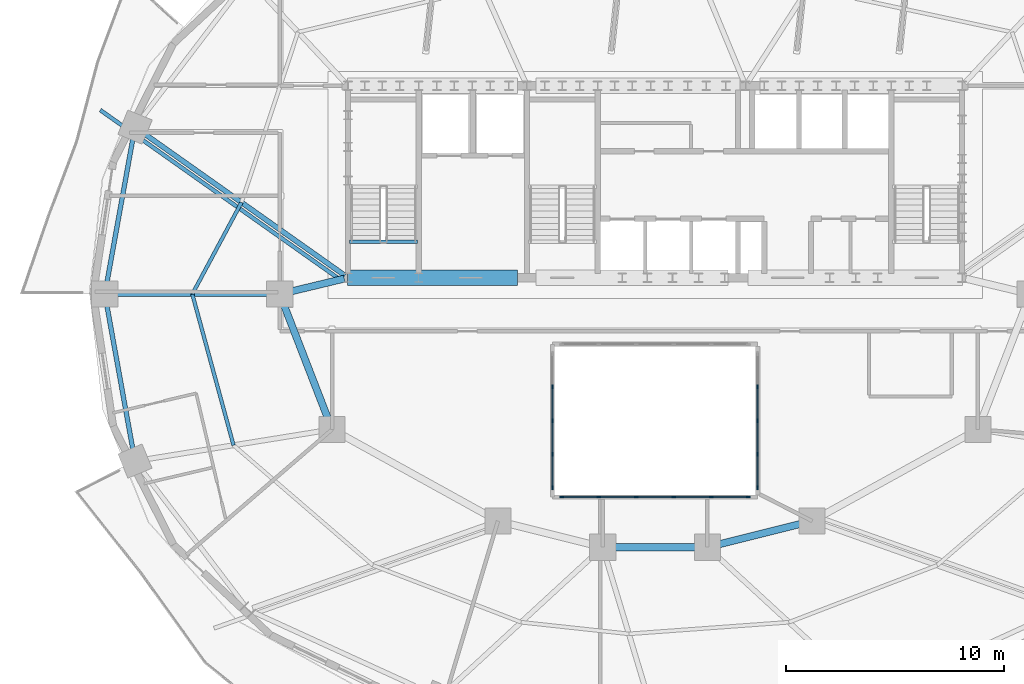
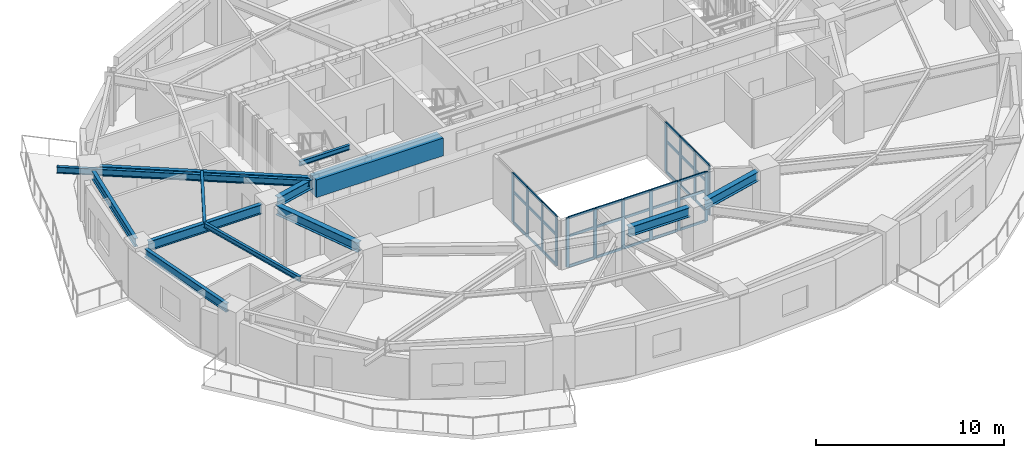
# One storey, part 2 of 13: 47 members, 13 beams, 3 elements without a shape of their own.
"""IFC4 building model written with IfcOpenShell, lengths in metres."""

from ifc_helpers import new_model, si_unit, direction, frame, origin, origin_2d, place, context, subcontext, project, spatial, rectangle, i_section, extrude, material, material_profile, profile_set, type_object, element, aggregate, save


model = new_model("IFC4")

# Units and contexts
model_context = context("Model", 3, precision=1e-05, world=origin(), true_north=direction((0.0, 1.0)))
body_context = subcontext(model_context, "Body", "Model", "MODEL_VIEW")
ifc_project = project(units=[si_unit("LENGTHUNIT", "METRE"), si_unit("AREAUNIT", "SQUARE_METRE"), si_unit("VOLUMEUNIT", "CUBIC_METRE"), si_unit("PLANEANGLEUNIT", "RADIAN"), si_unit("MASSUNIT", "GRAM", prefix="KILO")], contexts=[model_context])

# Site, building, storey
site_placement = place(None, origin())
site = spatial("IfcSite", under=ifc_project, at=site_placement, CompositionType="ELEMENT")
building_placement = place(site_placement, origin())
building = spatial("IfcBuilding", under=site, at=building_placement, Name="Haldorwick Loom Tower", CompositionType="ELEMENT")
storey_placement = place(building_placement, frame((0.0, 0.0, 178.60009765625)))
storey = spatial("IfcBuildingStorey", under=building, at=storey_placement, Name="L48", CompositionType="ELEMENT", Elevation=178.60009765625)

# Curtain wall, members
ifc_material_1 = material(Name="Thermally Broken Anodized Aluminium Curtain Wall Framing", Category="aluminium")
curtain_wall_type = type_object("IfcCurtainWallType", Name="ARC-CW-03", PredefinedType="NOTDEFINED", material=ifc_material_1)
curtain_wall_1_placement = place(storey_placement, origin())
curtain_wall_1 = element("IfcCurtainWall", 1, at=curtain_wall_1_placement, inside=storey, type_object=curtain_wall_type, Name="L48 Atrium Glazed Screen S", PredefinedType="NOTDEFINED")
ifc_material_profile_1 = material_profile(ifc_material_1, rectangle(XDim=0.06591796875, YDim=0.18505859375, at=origin_2d()), Name="ALU_MUL_66X185", Category="aluminium")
ifc_profile_set_1 = profile_set([ifc_material_profile_1], Name="Thermally Broken Anodized Aluminium Curtain Wall Framing")
member_type_1 = type_object("IfcMemberType", Name="ARC-CWM-03", PredefinedType="MULLION", material=ifc_profile_set_1)
member_1_placement = place(storey_placement, frame((40.26708984375, 16.699951171875, 0.0), z_axis=(0.0, 0.0, 1.0), x_axis=(0.0, -1.0, 0.0)))
member_1 = element("IfcMember", 2, at=member_1_placement, type_object=member_type_1, Name="CW-03 mullion 1", PredefinedType="MULLION", context=body_context, shape_type="SweptSolid", body=[
    extrude(rectangle(XDim=0.06591796875, YDim=0.18505859375, at=origin_2d()), origin(), (0.0, 0.0, 1.0), 3.2099609375),
])
member_2_placement = place(storey_placement, frame((38.580078125, 16.699951171875, 0.0), z_axis=(0.0, 0.0, 1.0), x_axis=(0.0, -1.0, 0.0)))
member_2 = element("IfcMember", 3, at=member_2_placement, type_object=member_type_1, Name="CW-03 mullion 2", PredefinedType="MULLION", context=body_context, shape_type="SweptSolid", body=[
    extrude(rectangle(XDim=0.06591796875, YDim=0.18505859375, at=origin_2d()), origin(), (0.0, 0.0, 1.0), 3.2099609375),
])
member_3_placement = place(storey_placement, frame((36.860107421875, 16.699951171875, 0.0), z_axis=(0.0, 0.0, 1.0), x_axis=(0.0, -1.0, 0.0)))
member_3 = element("IfcMember", 4, at=member_3_placement, type_object=member_type_1, Name="CW-03 mullion 3", PredefinedType="MULLION", context=body_context, shape_type="SweptSolid", body=[
    extrude(rectangle(XDim=0.06591796875, YDim=0.18505859375, at=origin_2d()), origin(), (0.0, 0.0, 1.0), 3.2099609375),
])
member_4_placement = place(storey_placement, frame((35.139892578125, 16.699951171875, 0.0), z_axis=(0.0, 0.0, 1.0), x_axis=(0.0, -1.0, 0.0)))
member_4 = element("IfcMember", 5, at=member_4_placement, type_object=member_type_1, Name="CW-03 mullion 4", PredefinedType="MULLION", context=body_context, shape_type="SweptSolid", body=[
    extrude(rectangle(XDim=0.06591796875, YDim=0.18505859375, at=origin_2d()), origin(), (0.0, 0.0, 1.0), 3.2099609375),
])
member_5_placement = place(storey_placement, frame((33.419921875, 16.699951171875, 0.0), z_axis=(0.0, 0.0, 1.0), x_axis=(0.0, -1.0, 0.0)))
member_5 = element("IfcMember", 6, at=member_5_placement, type_object=member_type_1, Name="CW-03 mullion 5", PredefinedType="MULLION", context=body_context, shape_type="SweptSolid", body=[
    extrude(rectangle(XDim=0.06591796875, YDim=0.18505859375, at=origin_2d()), origin(), (0.0, 0.0, 1.0), 3.2099609375),
])
member_6_placement = place(storey_placement, frame((31.73291015625, 16.699951171875, 0.0), z_axis=(0.0, 0.0, 1.0), x_axis=(0.0, -1.0, 0.0)))
member_6 = element("IfcMember", 7, at=member_6_placement, type_object=member_type_1, Name="CW-03 mullion 6", PredefinedType="MULLION", context=body_context, shape_type="SweptSolid", body=[
    extrude(rectangle(XDim=0.06591796875, YDim=0.18505859375, at=origin_2d()), origin(), (0.0, 0.0, 1.0), 3.2099609375),
])

curtain_wall_2_placement = place(storey_placement, origin())
curtain_wall_2 = element("IfcCurtainWall", 8, at=curtain_wall_2_placement, inside=storey, type_object=curtain_wall_type, Name="L48 Atrium Glazed Screen W", PredefinedType="NOTDEFINED")
member_7_placement = place(storey_placement, frame((31.300048828125, 17.133056640625, 0.0), z_axis=(0.0, 0.0, 1.0), x_axis=(-1.0, 0.0, 0.0)))
member_7 = element("IfcMember", 9, at=member_7_placement, type_object=member_type_1, Name="CW-03 mullion 1", PredefinedType="MULLION", context=body_context, shape_type="SweptSolid", body=[
    extrude(rectangle(XDim=0.06591796875, YDim=0.18505859375, at=origin_2d()), origin(), (0.0, 0.0, 1.0), 3.2099609375),
])
member_8_placement = place(storey_placement, frame((31.300048828125, 18.64990234375, 0.0), z_axis=(0.0, 0.0, 1.0), x_axis=(-1.0, 0.0, 0.0)))
member_8 = element("IfcMember", 10, at=member_8_placement, type_object=member_type_1, Name="CW-03 mullion 2", PredefinedType="MULLION", context=body_context, shape_type="SweptSolid", body=[
    extrude(rectangle(XDim=0.06591796875, YDim=0.18505859375, at=origin_2d()), origin(), (0.0, 0.0, 1.0), 3.2099609375),
])
member_9_placement = place(storey_placement, frame((31.300048828125, 20.199951171875, 0.0), z_axis=(0.0, 0.0, 1.0), x_axis=(-1.0, 0.0, 0.0)))
member_9 = element("IfcMember", 11, at=member_9_placement, type_object=member_type_1, Name="CW-03 mullion 3", PredefinedType="MULLION", context=body_context, shape_type="SweptSolid", body=[
    extrude(rectangle(XDim=0.06591796875, YDim=0.18505859375, at=origin_2d()), origin(), (0.0, 0.0, 1.0), 3.2099609375),
])
member_10_placement = place(storey_placement, frame((31.300048828125, 21.75, 0.0), z_axis=(0.0, 0.0, 1.0), x_axis=(-1.0, 0.0, 0.0)))
member_10 = element("IfcMember", 12, at=member_10_placement, type_object=member_type_1, Name="CW-03 mullion 4", PredefinedType="MULLION", context=body_context, shape_type="SweptSolid", body=[
    extrude(rectangle(XDim=0.06591796875, YDim=0.18505859375, at=origin_2d()), origin(), (0.0, 0.0, 1.0), 3.2099609375),
])

curtain_wall_3_placement = place(storey_placement, origin())
curtain_wall_3 = element("IfcCurtainWall", 13, at=curtain_wall_3_placement, inside=storey, type_object=curtain_wall_type, Name="L48 Atrium Glazed Screen E", PredefinedType="NOTDEFINED")
member_11_placement = place(storey_placement, frame((40.699951171875, 21.75, 0.0), z_axis=(0.0, 0.0, 1.0), x_axis=(1.0, 0.0, 0.0)))
member_11 = element("IfcMember", 14, at=member_11_placement, type_object=member_type_1, Name="CW-03 mullion 2", PredefinedType="MULLION", context=body_context, shape_type="SweptSolid", body=[
    extrude(rectangle(XDim=0.06591796875, YDim=0.18505859375, at=origin_2d()), origin(), (0.0, 0.0, 1.0), 3.2099609375),
])
member_12_placement = place(storey_placement, frame((40.699951171875, 20.199951171875, 0.0), z_axis=(0.0, 0.0, 1.0), x_axis=(1.0, 0.0, 0.0)))
member_12 = element("IfcMember", 15, at=member_12_placement, type_object=member_type_1, Name="CW-03 mullion 3", PredefinedType="MULLION", context=body_context, shape_type="SweptSolid", body=[
    extrude(rectangle(XDim=0.06591796875, YDim=0.18505859375, at=origin_2d()), origin(), (0.0, 0.0, 1.0), 3.2099609375),
])
member_13_placement = place(storey_placement, frame((40.699951171875, 18.64990234375, 0.0), z_axis=(0.0, 0.0, 1.0), x_axis=(1.0, 0.0, 0.0)))
member_13 = element("IfcMember", 16, at=member_13_placement, type_object=member_type_1, Name="CW-03 mullion 4", PredefinedType="MULLION", context=body_context, shape_type="SweptSolid", body=[
    extrude(rectangle(XDim=0.06591796875, YDim=0.18505859375, at=origin_2d()), origin(), (0.0, 0.0, 1.0), 3.2099609375),
])
member_14_placement = place(storey_placement, frame((40.699951171875, 17.133056640625, 0.0), z_axis=(0.0, 0.0, 1.0), x_axis=(1.0, 0.0, 0.0)))
member_14 = element("IfcMember", 17, at=member_14_placement, type_object=member_type_1, Name="CW-03 mullion 5", PredefinedType="MULLION", context=body_context, shape_type="SweptSolid", body=[
    extrude(rectangle(XDim=0.06591796875, YDim=0.18505859375, at=origin_2d()), origin(), (0.0, 0.0, 1.0), 3.2099609375),
])

# Member
ifc_material_profile_2 = material_profile(ifc_material_1, rectangle(XDim=0.06591796875, YDim=0.1650390625, at=origin_2d()), Name="ALU_TRN_66X165", Category="aluminium")
ifc_profile_set_2 = profile_set([ifc_material_profile_2], Name="Thermally Broken Anodized Aluminium Curtain Wall Framing")
member_type_2 = type_object("IfcMemberType", Name="ARC-CWT-03", PredefinedType="USERDEFINED", material=ifc_profile_set_2)
member_15_placement = place(storey_placement, frame((40.23388671875, 16.699951171875, 0.032958984375), z_axis=(-1.0, 0.0, 0.0), x_axis=(0.0, -1.0, 0.0)))
member_15 = element("IfcMember", 18, at=member_15_placement, type_object=member_type_2, Name="CW-03 transom 1.1", ObjectType="TRANSOM", PredefinedType="USERDEFINED", context=body_context, shape_type="SweptSolid", body=[
    extrude(rectangle(XDim=0.06591796875, YDim=0.1650390625, at=origin_2d()), origin(), (0.0, 0.0, 1.0), 1.620849609375),
])

member_16_placement = place(storey_placement, frame((40.23388671875, 16.699951171875, 2.0), z_axis=(-1.0, 0.0, 0.0), x_axis=(0.0, -1.0, 0.0)))
member_16 = element("IfcMember", 19, at=member_16_placement, type_object=member_type_2, Name="CW-03 transom 1.2", ObjectType="TRANSOM", PredefinedType="USERDEFINED", context=body_context, shape_type="SweptSolid", body=[
    extrude(rectangle(XDim=0.06591796875, YDim=0.1650390625, at=origin_2d()), origin(), (0.0, 0.0, 1.0), 1.620849609375),
])

member_17_placement = place(storey_placement, frame((40.23388671875, 16.699951171875, 3.177001953125), z_axis=(-1.0, 0.0, 0.0), x_axis=(0.0, -1.0, 0.0)))
member_17 = element("IfcMember", 20, at=member_17_placement, type_object=member_type_2, Name="CW-03 transom 1.3", ObjectType="TRANSOM", PredefinedType="USERDEFINED", context=body_context, shape_type="SweptSolid", body=[
    extrude(rectangle(XDim=0.06591796875, YDim=0.1650390625, at=origin_2d()), origin(), (0.0, 0.0, 1.0), 1.620849609375),
])

member_18_placement = place(storey_placement, frame((38.547119140625, 16.699951171875, 0.032958984375), z_axis=(-1.0, 0.0, 0.0), x_axis=(0.0, -1.0, 0.0)))
member_18 = element("IfcMember", 21, at=member_18_placement, type_object=member_type_2, Name="CW-03 transom 2.1", ObjectType="TRANSOM", PredefinedType="USERDEFINED", context=body_context, shape_type="SweptSolid", body=[
    extrude(rectangle(XDim=0.06591796875, YDim=0.1650390625, at=origin_2d()), origin(), (0.0, 0.0, 1.0), 1.654052734375),
])

member_19_placement = place(storey_placement, frame((38.547119140625, 16.699951171875, 2.0), z_axis=(-1.0, 0.0, 0.0), x_axis=(0.0, -1.0, 0.0)))
member_19 = element("IfcMember", 22, at=member_19_placement, type_object=member_type_2, Name="CW-03 transom 2.2", ObjectType="TRANSOM", PredefinedType="USERDEFINED", context=body_context, shape_type="SweptSolid", body=[
    extrude(rectangle(XDim=0.06591796875, YDim=0.1650390625, at=origin_2d()), origin(), (0.0, 0.0, 1.0), 1.654052734375),
])

member_20_placement = place(storey_placement, frame((38.547119140625, 16.699951171875, 3.177001953125), z_axis=(-1.0, 0.0, 0.0), x_axis=(0.0, -1.0, 0.0)))
member_20 = element("IfcMember", 23, at=member_20_placement, type_object=member_type_2, Name="CW-03 transom 2.3", ObjectType="TRANSOM", PredefinedType="USERDEFINED", context=body_context, shape_type="SweptSolid", body=[
    extrude(rectangle(XDim=0.06591796875, YDim=0.1650390625, at=origin_2d()), origin(), (0.0, 0.0, 1.0), 1.654052734375),
])

member_21_placement = place(storey_placement, frame((36.826904296875, 16.699951171875, 0.032958984375), z_axis=(-1.0, 0.0, 0.0), x_axis=(0.0, -1.0, 0.0)))
member_21 = element("IfcMember", 24, at=member_21_placement, type_object=member_type_2, Name="CW-03 transom 3.1", ObjectType="TRANSOM", PredefinedType="USERDEFINED", context=body_context, shape_type="SweptSolid", body=[
    extrude(rectangle(XDim=0.06591796875, YDim=0.1650390625, at=origin_2d()), origin(), (0.0, 0.0, 1.0), 1.65380859375),
])

member_22_placement = place(storey_placement, frame((36.826904296875, 16.699951171875, 2.0), z_axis=(-1.0, 0.0, 0.0), x_axis=(0.0, -1.0, 0.0)))
member_22 = element("IfcMember", 25, at=member_22_placement, type_object=member_type_2, Name="CW-03 transom 3.2", ObjectType="TRANSOM", PredefinedType="USERDEFINED", context=body_context, shape_type="SweptSolid", body=[
    extrude(rectangle(XDim=0.06591796875, YDim=0.1650390625, at=origin_2d()), origin(), (0.0, 0.0, 1.0), 1.65380859375),
])

member_23_placement = place(storey_placement, frame((36.826904296875, 16.699951171875, 3.177001953125), z_axis=(-1.0, 0.0, 0.0), x_axis=(0.0, -1.0, 0.0)))
member_23 = element("IfcMember", 26, at=member_23_placement, type_object=member_type_2, Name="CW-03 transom 3.3", ObjectType="TRANSOM", PredefinedType="USERDEFINED", context=body_context, shape_type="SweptSolid", body=[
    extrude(rectangle(XDim=0.06591796875, YDim=0.1650390625, at=origin_2d()), origin(), (0.0, 0.0, 1.0), 1.65380859375),
])

member_24_placement = place(storey_placement, frame((35.10693359375, 16.699951171875, 0.032958984375), z_axis=(-1.0, 0.0, 0.0), x_axis=(0.0, -1.0, 0.0)))
member_24 = element("IfcMember", 27, at=member_24_placement, type_object=member_type_2, Name="CW-03 transom 4.1", ObjectType="TRANSOM", PredefinedType="USERDEFINED", context=body_context, shape_type="SweptSolid", body=[
    extrude(rectangle(XDim=0.06591796875, YDim=0.1650390625, at=origin_2d()), origin(), (0.0, 0.0, 1.0), 1.654052734375),
])

member_25_placement = place(storey_placement, frame((35.10693359375, 16.699951171875, 2.0), z_axis=(-1.0, 0.0, 0.0), x_axis=(0.0, -1.0, 0.0)))
member_25 = element("IfcMember", 28, at=member_25_placement, type_object=member_type_2, Name="CW-03 transom 4.2", ObjectType="TRANSOM", PredefinedType="USERDEFINED", context=body_context, shape_type="SweptSolid", body=[
    extrude(rectangle(XDim=0.06591796875, YDim=0.1650390625, at=origin_2d()), origin(), (0.0, 0.0, 1.0), 1.654052734375),
])

member_26_placement = place(storey_placement, frame((35.10693359375, 16.699951171875, 3.177001953125), z_axis=(-1.0, 0.0, 0.0), x_axis=(0.0, -1.0, 0.0)))
member_26 = element("IfcMember", 29, at=member_26_placement, type_object=member_type_2, Name="CW-03 transom 4.3", ObjectType="TRANSOM", PredefinedType="USERDEFINED", context=body_context, shape_type="SweptSolid", body=[
    extrude(rectangle(XDim=0.06591796875, YDim=0.1650390625, at=origin_2d()), origin(), (0.0, 0.0, 1.0), 1.654052734375),
])

member_27_placement = place(storey_placement, frame((33.386962890625, 16.699951171875, 0.032958984375), z_axis=(-1.0, 0.0, 0.0), x_axis=(0.0, -1.0, 0.0)))
member_27 = element("IfcMember", 30, at=member_27_placement, type_object=member_type_2, Name="CW-03 transom 5.1", ObjectType="TRANSOM", PredefinedType="USERDEFINED", context=body_context, shape_type="SweptSolid", body=[
    extrude(rectangle(XDim=0.06591796875, YDim=0.1650390625, at=origin_2d()), origin(), (0.0, 0.0, 1.0), 1.620849609375),
])

member_28_placement = place(storey_placement, frame((33.386962890625, 16.699951171875, 2.0), z_axis=(-1.0, 0.0, 0.0), x_axis=(0.0, -1.0, 0.0)))
member_28 = element("IfcMember", 31, at=member_28_placement, type_object=member_type_2, Name="CW-03 transom 5.2", ObjectType="TRANSOM", PredefinedType="USERDEFINED", context=body_context, shape_type="SweptSolid", body=[
    extrude(rectangle(XDim=0.06591796875, YDim=0.1650390625, at=origin_2d()), origin(), (0.0, 0.0, 1.0), 1.620849609375),
])

member_29_placement = place(storey_placement, frame((33.386962890625, 16.699951171875, 3.177001953125), z_axis=(-1.0, 0.0, 0.0), x_axis=(0.0, -1.0, 0.0)))
member_29 = element("IfcMember", 32, at=member_29_placement, type_object=member_type_2, Name="CW-03 transom 5.3", ObjectType="TRANSOM", PredefinedType="USERDEFINED", context=body_context, shape_type="SweptSolid", body=[
    extrude(rectangle(XDim=0.06591796875, YDim=0.1650390625, at=origin_2d()), origin(), (0.0, 0.0, 1.0), 1.620849609375),
])

aggregate(curtain_wall_1, [member_1, member_2, member_3, member_4, member_5, member_6, member_15, member_16, member_17, member_18, member_19, member_20, member_21, member_22, member_23, member_24, member_25, member_26, member_27, member_28, member_29])

member_30_placement = place(storey_placement, frame((31.300048828125, 17.166015625, 0.032958984375), z_axis=(0.0, 1.0, 0.0), x_axis=(-1.0, 0.0, 0.0)))
member_30 = element("IfcMember", 33, at=member_30_placement, type_object=member_type_2, Name="CW-03 transom 1.1", ObjectType="TRANSOM", PredefinedType="USERDEFINED", context=body_context, shape_type="SweptSolid", body=[
    extrude(rectangle(XDim=0.06591796875, YDim=0.1650390625, at=origin_2d()), origin(), (0.0, 0.0, 1.0), 1.450927734375),
])

member_31_placement = place(storey_placement, frame((31.300048828125, 17.166015625, 2.0), z_axis=(0.0, 1.0, 0.0), x_axis=(-1.0, 0.0, 0.0)))
member_31 = element("IfcMember", 34, at=member_31_placement, type_object=member_type_2, Name="CW-03 transom 1.2", ObjectType="TRANSOM", PredefinedType="USERDEFINED", context=body_context, shape_type="SweptSolid", body=[
    extrude(rectangle(XDim=0.06591796875, YDim=0.1650390625, at=origin_2d()), origin(), (0.0, 0.0, 1.0), 1.450927734375),
])

member_32_placement = place(storey_placement, frame((31.300048828125, 17.166015625, 3.177001953125), z_axis=(0.0, 1.0, 0.0), x_axis=(-1.0, 0.0, 0.0)))
member_32 = element("IfcMember", 35, at=member_32_placement, type_object=member_type_2, Name="CW-03 transom 1.3", ObjectType="TRANSOM", PredefinedType="USERDEFINED", context=body_context, shape_type="SweptSolid", body=[
    extrude(rectangle(XDim=0.06591796875, YDim=0.1650390625, at=origin_2d()), origin(), (0.0, 0.0, 1.0), 1.450927734375),
])

member_33_placement = place(storey_placement, frame((31.300048828125, 18.68310546875, 0.032958984375), z_axis=(0.0, 1.0, 0.0), x_axis=(-1.0, 0.0, 0.0)))
member_33 = element("IfcMember", 36, at=member_33_placement, type_object=member_type_2, Name="CW-03 transom 2.1", ObjectType="TRANSOM", PredefinedType="USERDEFINED", context=body_context, shape_type="SweptSolid", body=[
    extrude(rectangle(XDim=0.06591796875, YDim=0.1650390625, at=origin_2d()), origin(), (0.0, 0.0, 1.0), 1.48388671875),
])

member_34_placement = place(storey_placement, frame((31.300048828125, 18.68310546875, 2.0), z_axis=(0.0, 1.0, 0.0), x_axis=(-1.0, 0.0, 0.0)))
member_34 = element("IfcMember", 37, at=member_34_placement, type_object=member_type_2, Name="CW-03 transom 2.2", ObjectType="TRANSOM", PredefinedType="USERDEFINED", context=body_context, shape_type="SweptSolid", body=[
    extrude(rectangle(XDim=0.06591796875, YDim=0.1650390625, at=origin_2d()), origin(), (0.0, 0.0, 1.0), 1.48388671875),
])

member_35_placement = place(storey_placement, frame((31.300048828125, 18.68310546875, 3.177001953125), z_axis=(0.0, 1.0, 0.0), x_axis=(-1.0, 0.0, 0.0)))
member_35 = element("IfcMember", 38, at=member_35_placement, type_object=member_type_2, Name="CW-03 transom 2.3", ObjectType="TRANSOM", PredefinedType="USERDEFINED", context=body_context, shape_type="SweptSolid", body=[
    extrude(rectangle(XDim=0.06591796875, YDim=0.1650390625, at=origin_2d()), origin(), (0.0, 0.0, 1.0), 1.48388671875),
])

member_36_placement = place(storey_placement, frame((31.300048828125, 20.23291015625, 0.032958984375), z_axis=(0.0, 1.0, 0.0), x_axis=(-1.0, 0.0, 0.0)))
member_36 = element("IfcMember", 39, at=member_36_placement, type_object=member_type_2, Name="CW-03 transom 3.1", ObjectType="TRANSOM", PredefinedType="USERDEFINED", context=body_context, shape_type="SweptSolid", body=[
    extrude(rectangle(XDim=0.06591796875, YDim=0.1650390625, at=origin_2d()), origin(), (0.0, 0.0, 1.0), 1.484130859375),
])

member_37_placement = place(storey_placement, frame((31.300048828125, 20.23291015625, 2.0), z_axis=(0.0, 1.0, 0.0), x_axis=(-1.0, 0.0, 0.0)))
member_37 = element("IfcMember", 40, at=member_37_placement, type_object=member_type_2, Name="CW-03 transom 3.2", ObjectType="TRANSOM", PredefinedType="USERDEFINED", context=body_context, shape_type="SweptSolid", body=[
    extrude(rectangle(XDim=0.06591796875, YDim=0.1650390625, at=origin_2d()), origin(), (0.0, 0.0, 1.0), 1.484130859375),
])

member_38_placement = place(storey_placement, frame((31.300048828125, 20.23291015625, 3.177001953125), z_axis=(0.0, 1.0, 0.0), x_axis=(-1.0, 0.0, 0.0)))
member_38 = element("IfcMember", 41, at=member_38_placement, type_object=member_type_2, Name="CW-03 transom 3.3", ObjectType="TRANSOM", PredefinedType="USERDEFINED", context=body_context, shape_type="SweptSolid", body=[
    extrude(rectangle(XDim=0.06591796875, YDim=0.1650390625, at=origin_2d()), origin(), (0.0, 0.0, 1.0), 1.484130859375),
])

aggregate(curtain_wall_2, [member_7, member_8, member_9, member_10, member_30, member_31, member_32, member_33, member_34, member_35, member_36, member_37, member_38])

member_39_placement = place(storey_placement, frame((40.699951171875, 21.717041015625, 0.032958984375), z_axis=(0.0, -1.0, 0.0), x_axis=(1.0, 0.0, 0.0)))
member_39 = element("IfcMember", 42, at=member_39_placement, type_object=member_type_2, Name="CW-03 transom 2.1", ObjectType="TRANSOM", PredefinedType="USERDEFINED", context=body_context, shape_type="SweptSolid", body=[
    extrude(rectangle(XDim=0.06591796875, YDim=0.1650390625, at=origin_2d()), origin(), (0.0, 0.0, 1.0), 1.484130859375),
])

member_40_placement = place(storey_placement, frame((40.699951171875, 21.717041015625, 2.0), z_axis=(0.0, -1.0, 0.0), x_axis=(1.0, 0.0, 0.0)))
member_40 = element("IfcMember", 43, at=member_40_placement, type_object=member_type_2, Name="CW-03 transom 2.2", ObjectType="TRANSOM", PredefinedType="USERDEFINED", context=body_context, shape_type="SweptSolid", body=[
    extrude(rectangle(XDim=0.06591796875, YDim=0.1650390625, at=origin_2d()), origin(), (0.0, 0.0, 1.0), 1.484130859375),
])

member_41_placement = place(storey_placement, frame((40.699951171875, 21.717041015625, 3.177001953125), z_axis=(0.0, -1.0, 0.0), x_axis=(1.0, 0.0, 0.0)))
member_41 = element("IfcMember", 44, at=member_41_placement, type_object=member_type_2, Name="CW-03 transom 2.3", ObjectType="TRANSOM", PredefinedType="USERDEFINED", context=body_context, shape_type="SweptSolid", body=[
    extrude(rectangle(XDim=0.06591796875, YDim=0.1650390625, at=origin_2d()), origin(), (0.0, 0.0, 1.0), 1.484130859375),
])

member_42_placement = place(storey_placement, frame((40.699951171875, 20.1669921875, 0.032958984375), z_axis=(0.0, -1.0, 0.0), x_axis=(1.0, 0.0, 0.0)))
member_42 = element("IfcMember", 45, at=member_42_placement, type_object=member_type_2, Name="CW-03 transom 3.1", ObjectType="TRANSOM", PredefinedType="USERDEFINED", context=body_context, shape_type="SweptSolid", body=[
    extrude(rectangle(XDim=0.06591796875, YDim=0.1650390625, at=origin_2d()), origin(), (0.0, 0.0, 1.0), 1.48388671875),
])

member_43_placement = place(storey_placement, frame((40.699951171875, 20.1669921875, 2.0), z_axis=(0.0, -1.0, 0.0), x_axis=(1.0, 0.0, 0.0)))
member_43 = element("IfcMember", 46, at=member_43_placement, type_object=member_type_2, Name="CW-03 transom 3.2", ObjectType="TRANSOM", PredefinedType="USERDEFINED", context=body_context, shape_type="SweptSolid", body=[
    extrude(rectangle(XDim=0.06591796875, YDim=0.1650390625, at=origin_2d()), origin(), (0.0, 0.0, 1.0), 1.48388671875),
])

member_44_placement = place(storey_placement, frame((40.699951171875, 20.1669921875, 3.177001953125), z_axis=(0.0, -1.0, 0.0), x_axis=(1.0, 0.0, 0.0)))
member_44 = element("IfcMember", 47, at=member_44_placement, type_object=member_type_2, Name="CW-03 transom 3.3", ObjectType="TRANSOM", PredefinedType="USERDEFINED", context=body_context, shape_type="SweptSolid", body=[
    extrude(rectangle(XDim=0.06591796875, YDim=0.1650390625, at=origin_2d()), origin(), (0.0, 0.0, 1.0), 1.48388671875),
])

member_45_placement = place(storey_placement, frame((40.699951171875, 18.616943359375, 0.032958984375), z_axis=(0.0, -1.0, 0.0), x_axis=(1.0, 0.0, 0.0)))
member_45 = element("IfcMember", 48, at=member_45_placement, type_object=member_type_2, Name="CW-03 transom 4.1", ObjectType="TRANSOM", PredefinedType="USERDEFINED", context=body_context, shape_type="SweptSolid", body=[
    extrude(rectangle(XDim=0.06591796875, YDim=0.1650390625, at=origin_2d()), origin(), (0.0, 0.0, 1.0), 1.450927734375),
])

member_46_placement = place(storey_placement, frame((40.699951171875, 18.616943359375, 2.0), z_axis=(0.0, -1.0, 0.0), x_axis=(1.0, 0.0, 0.0)))
member_46 = element("IfcMember", 49, at=member_46_placement, type_object=member_type_2, Name="CW-03 transom 4.2", ObjectType="TRANSOM", PredefinedType="USERDEFINED", context=body_context, shape_type="SweptSolid", body=[
    extrude(rectangle(XDim=0.06591796875, YDim=0.1650390625, at=origin_2d()), origin(), (0.0, 0.0, 1.0), 1.450927734375),
])

member_47_placement = place(storey_placement, frame((40.699951171875, 18.616943359375, 3.177001953125), z_axis=(0.0, -1.0, 0.0), x_axis=(1.0, 0.0, 0.0)))
member_47 = element("IfcMember", 50, at=member_47_placement, type_object=member_type_2, Name="CW-03 transom 4.3", ObjectType="TRANSOM", PredefinedType="USERDEFINED", context=body_context, shape_type="SweptSolid", body=[
    extrude(rectangle(XDim=0.06591796875, YDim=0.1650390625, at=origin_2d()), origin(), (0.0, 0.0, 1.0), 1.450927734375),
])

aggregate(curtain_wall_3, [member_11, member_12, member_13, member_14, member_39, member_40, member_41, member_42, member_43, member_44, member_45, member_46, member_47])

# Beams
ifc_material_2 = material(Name="Steel CSA G40.21 350W", Category="steel")
ifc_material_profile_3 = material_profile(ifc_material_2, i_section(OverallWidth=0.179931640625, OverallDepth=0.4130859375, WebThickness=0.009765625, FlangeThickness=0.01611328125, at=origin_2d()), Name="W410X74", Category="steel")
ifc_profile_set_3 = profile_set([ifc_material_profile_3], Name="Steel CSA G40.21 350W")
beam_type_1 = type_object("IfcBeamType", Name="STR-BM-BAL410", PredefinedType="BEAM", material=ifc_profile_set_3)
beam_1_placement = place(storey_placement, frame((21.623046875, 26.6240234375, 3.00341796875), z_axis=(-0.816570167076, 0.57724618859, 0.0), x_axis=(-0.57724618859, -0.816570167076, 0.0)))
element("IfcBeam", 51, at=beam_1_placement, inside=storey, type_object=beam_type_1, Name="L48 Continuous Back-Spanned Balcony Beam 3", PredefinedType="BEAM", context=body_context, shape_type="SweptSolid", body=[
    extrude(i_section(OverallWidth=0.179931640625, OverallDepth=0.4130859375, WebThickness=0.009765625, FlangeThickness=0.01611328125, at=origin_2d()), origin(), (0.0, 0.0, 1.0), 13.531982421875),
])
ifc_material_3 = material(Name="Concrete C60 (60 MPa)", Category="concrete")
ifc_material_profile_4 = material_profile(ifc_material_3, rectangle(XDim=0.699951171875, YDim=1.14990234375, at=origin_2d()), Name="RC700X1150", Category="concrete")
ifc_profile_set_4 = profile_set([ifc_material_profile_4], Name="Concrete C60 (60 MPa)")
beam_type_2 = type_object("IfcBeamType", Name="STR-BM-CB1150", PredefinedType="LINTEL", material=ifc_profile_set_4)
beam_2_placement = place(storey_placement, frame((21.89990234375, 26.75, 2.635009765625), z_axis=(1.0, 0.0, 0.0), x_axis=(0.0, 1.0, 0.0)))
element("IfcBeam", 52, at=beam_2_placement, inside=storey, type_object=beam_type_2, Name="L48 Core Coupling Beam CB-S1", PredefinedType="LINTEL", context=body_context, shape_type="SweptSolid", body=[
    extrude(rectangle(XDim=0.699951171875, YDim=1.14990234375, at=origin_2d()), origin(), (0.0, 0.0, 1.0), 7.800048828125),
])
ifc_material_profile_5 = material_profile(ifc_material_2, i_section(OverallWidth=0.166015625, OverallDepth=0.31298828125, WebThickness=0.006591796875, FlangeThickness=0.01123046875, at=origin_2d()), Name="W310X45", Category="steel")
ifc_profile_set_5 = profile_set([ifc_material_profile_5], Name="Steel CSA G40.21 350W")
beam_type_3 = type_object("IfcBeamType", Name="STR-BM-J310", PredefinedType="JOIST", material=ifc_profile_set_5)
beam_3_placement = place(storey_placement, frame((17.046875, 30.201904296875, 3.053466796875), z_axis=(-0.472930162238, -0.881099915813, 0.0), x_axis=(0.881099915813, -0.472930162238, 0.0)))
element("IfcBeam", 53, at=beam_3_placement, inside=storey, type_object=beam_type_3, Name="L48 Mid-Bay Secondary Joist 8", PredefinedType="JOIST", context=body_context, shape_type="SweptSolid", body=[
    extrude(i_section(OverallWidth=0.166015625, OverallDepth=0.31298828125, WebThickness=0.006591796875, FlangeThickness=0.01123046875, at=origin_2d()), origin(), (0.0, 0.0, 1.0), 4.76904296875),
])
beam_4_placement = place(storey_placement, frame((14.79150390625, 26.0, 3.053466796875), z_axis=(0.263272762578, -0.964721437766, 0.0), x_axis=(0.964721437766, 0.263272762578, 0.0)))
element("IfcBeam", 54, at=beam_4_placement, inside=storey, type_object=beam_type_3, Name="L48 Mid-Bay Secondary Joist 9", PredefinedType="JOIST", context=body_context, shape_type="SweptSolid", body=[
    extrude(i_section(OverallWidth=0.166015625, OverallDepth=0.31298828125, WebThickness=0.006591796875, FlangeThickness=0.01123046875, at=origin_2d()), origin(), (0.0, 0.0, 1.0), 7.180419921875),
])
ifc_material_profile_6 = material_profile(ifc_material_2, i_section(OverallWidth=0.2119140625, OverallDepth=0.5439453125, WebThickness=0.01318359375, FlangeThickness=0.021240234375, at=origin_2d()), Name="W530X123", Category="steel")
ifc_profile_set_6 = profile_set([ifc_material_profile_6], Name="Steel CSA G40.21 350W")
beam_type_4 = type_object("IfcBeamType", Name="STR-BM-SP530", PredefinedType="SPANDREL", material=ifc_profile_set_6)
for number, where, z_axis, x_axis, name in (
    (55, (12.071533203125, 33.14208984375, 2.93798828125), (-0.177558730702, -0.984110205796, 0.0), (0.984110205796, -0.177558730702, 0.0), "L48 Perimeter Spandrel 8"),
    (56, (10.875244140625, 25.48828125, 2.93798828125), (0.177558730702, -0.984110205796, 0.0), (0.984110205796, 0.177558730702, 0.0), "L48 Perimeter Spandrel 9"),
):
    element("IfcBeam", number, at=place(storey_placement, frame(where, z_axis=z_axis, x_axis=x_axis)), inside=storey, type_object=beam_type_4, Name=name, PredefinedType="SPANDREL", context=body_context, shape_type="SweptSolid", body=[
        extrude(i_section(OverallWidth=0.2119140625, OverallDepth=0.5439453125, WebThickness=0.01318359375, FlangeThickness=0.021240234375, at=origin_2d()), origin(), (0.0, 0.0, 1.0), 6.737548828125),
    ])
ifc_material_profile_7 = material_profile(ifc_material_2, i_section(OverallWidth=0.166015625, OverallDepth=0.31298828125, WebThickness=0.006591796875, FlangeThickness=0.01123046875, at=origin_2d()), Name="W310X45", Category="steel")
ifc_profile_set_7 = profile_set([ifc_material_profile_7], Name="Steel CSA G40.21 350W")
beam_type_5 = type_object("IfcBeamType", Name="STR-BM-STRM", PredefinedType="BEAM", material=ifc_profile_set_7)
beam_5_placement = place(storey_placement, frame((21.989990234375, 28.39990234375, 3.053466796875), z_axis=(1.0, 0.0, 0.0), x_axis=(0.0, 1.0, 0.0)))
element("IfcBeam", 57, at=beam_5_placement, inside=storey, type_object=beam_type_5, Name="L48 Stair ST-01 Landing Edge Trimmer", PredefinedType="BEAM", context=body_context, shape_type="SweptSolid", body=[
    extrude(i_section(OverallWidth=0.166015625, OverallDepth=0.31298828125, WebThickness=0.006591796875, FlangeThickness=0.01123046875, at=origin_2d()), origin(), (0.0, 0.0, 1.0), 3.1201171875),
])
ifc_material_profile_8 = material_profile(ifc_material_2, i_section(OverallWidth=0.324951171875, OverallDepth=0.615966796875, WebThickness=0.013916015625, FlangeThickness=0.021484375, at=origin_2d()), Name="W610X174", Category="steel")
ifc_profile_set_8 = profile_set([ifc_material_profile_8], Name="Steel CSA G40.21 350W")
beam_type_6 = type_object("IfcBeamType", Name="STR-BM-W610A", PredefinedType="BEAM", material=ifc_profile_set_8)
beam_6_placement = place(storey_placement, frame((42.695556640625, 15.473876953125, 2.90185546875), z_axis=(-0.970142500145, -0.242535625036, 0.0), x_axis=(0.242535625036, -0.970142500145, 0.0)))
element("IfcBeam", 58, at=beam_6_placement, inside=storey, type_object=beam_type_6, Name="L48 Inner Ring Girder 4", PredefinedType="BEAM", context=body_context, shape_type="SweptSolid", body=[
    extrude(i_section(OverallWidth=0.324951171875, OverallDepth=0.615966796875, WebThickness=0.013916015625, FlangeThickness=0.021484375, at=origin_2d()), origin(), (0.0, 0.0, 1.0), 3.90771484375),
])
beam_7_placement = place(storey_placement, frame((37.8798828125, 14.39990234375, 2.90185546875), z_axis=(-1.0, 0.0, 0.0), x_axis=(0.0, -1.0, 0.0)))
element("IfcBeam", 59, at=beam_7_placement, inside=storey, type_object=beam_type_6, Name="L48 Inner Ring Girder 5", PredefinedType="BEAM", context=body_context, shape_type="SweptSolid", body=[
    extrude(i_section(OverallWidth=0.324951171875, OverallDepth=0.615966796875, WebThickness=0.013916015625, FlangeThickness=0.021484375, at=origin_2d()), origin(), (0.0, 0.0, 1.0), 3.759765625),
])
beam_8_placement = place(storey_placement, frame((21.01220703125, 20.284912109375, 2.90185546875), z_axis=(-0.360964792353, 0.93257944363, 0.0), x_axis=(-0.93257944363, -0.360964792353, 0.0)))
element("IfcBeam", 60, at=beam_8_placement, inside=storey, type_object=beam_type_6, Name="L48 Inner Ring Girder 8", PredefinedType="BEAM", context=body_context, shape_type="SweptSolid", body=[
    extrude(i_section(OverallWidth=0.324951171875, OverallDepth=0.615966796875, WebThickness=0.013916015625, FlangeThickness=0.021484375, at=origin_2d()), origin(), (0.0, 0.0, 1.0), 5.6083984375),
])
beam_9_placement = place(storey_placement, frame((19.3056640625, 26.12109375, 2.90185546875), z_axis=(0.97246637463, 0.233043236789, 0.0), x_axis=(-0.233043236789, 0.97246637463, 0.0)))
element("IfcBeam", 61, at=beam_9_placement, inside=storey, type_object=beam_type_6, Name="L48 Inner Ring Girder 9", PredefinedType="BEAM", context=body_context, shape_type="SweptSolid", body=[
    extrude(i_section(OverallWidth=0.324951171875, OverallDepth=0.615966796875, WebThickness=0.013916015625, FlangeThickness=0.021484375, at=origin_2d()), origin(), (0.0, 0.0, 1.0), 2.5205078125),
])
ifc_material_profile_9 = material_profile(ifc_material_2, i_section(OverallWidth=0.22998046875, OverallDepth=0.616943359375, WebThickness=0.01318359375, FlangeThickness=0.022216796875, at=origin_2d()), Name="W610X140", Category="steel")
ifc_profile_set_9 = profile_set([ifc_material_profile_9], Name="Steel CSA G40.21 350W")
beam_type_7 = type_object("IfcBeamType", Name="STR-BM-W610B", PredefinedType="BEAM", material=ifc_profile_set_9)
beam_10_placement = place(storey_placement, frame((21.78466796875, 26.852783203125, 2.9013671875), z_axis=(-0.816581374163, 0.577230334763, 0.0), x_axis=(-0.577230334763, -0.816581374163, 0.0)))
element("IfcBeam", 62, at=beam_10_placement, inside=storey, type_object=beam_type_7, Name="L48 Radial Floor Girder 8", PredefinedType="BEAM", context=body_context, shape_type="SweptSolid", body=[
    extrude(i_section(OverallWidth=0.22998046875, OverallDepth=0.616943359375, WebThickness=0.01318359375, FlangeThickness=0.022216796875, at=origin_2d()), origin(), (0.0, 0.0, 1.0), 11.261962890625),
])
beam_11_placement = place(storey_placement, frame((18.280029296875, 26.0, 2.9013671875), z_axis=(-1.0, 0.0, 0.0), x_axis=(0.0, -1.0, 0.0)))
element("IfcBeam", 63, at=beam_11_placement, inside=storey, type_object=beam_type_7, Name="L48 Radial Floor Girder 9", PredefinedType="BEAM", context=body_context, shape_type="SweptSolid", body=[
    extrude(i_section(OverallWidth=0.22998046875, OverallDepth=0.616943359375, WebThickness=0.01318359375, FlangeThickness=0.022216796875, at=origin_2d()), origin(), (0.0, 0.0, 1.0), 6.97705078125),
])

save(model, "model.ifc")
